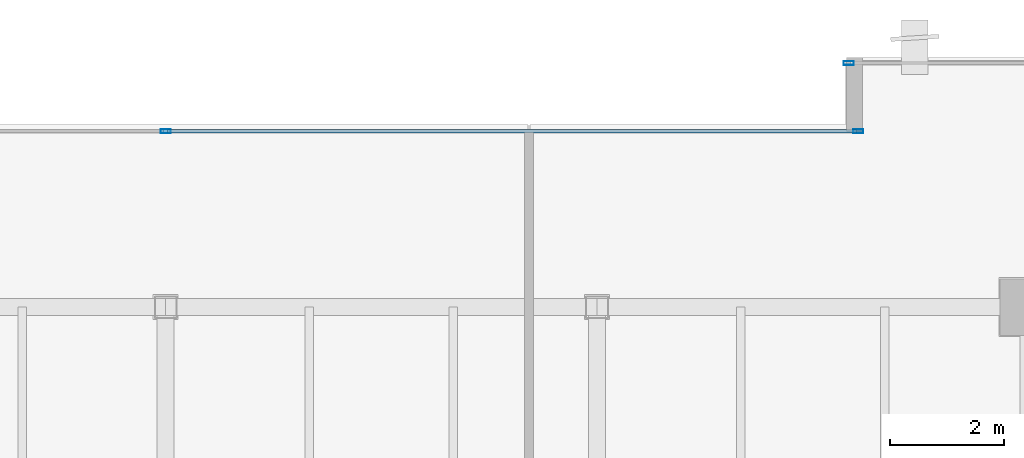
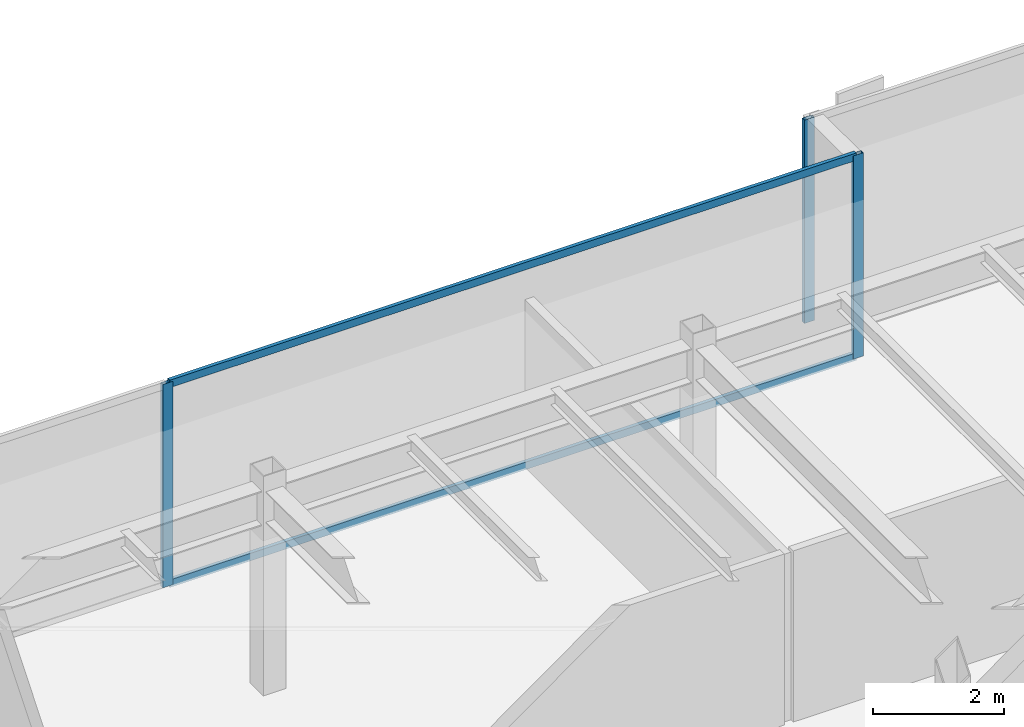
# One storey, part 19 of 35: 5 members, 2 elements without a shape of their own.
"""IFC4 building model written with IfcOpenShell, lengths in metres."""

from ifc_helpers import new_model, si_unit, direction, frame, origin, origin_2d, place, context, subcontext, project, spatial, hollow_rectangle, extrude, source, transform, mapped, material, layer, layer_set, material_profile, profile_set, type_object, type_shapes, element, aggregate, save


model = new_model("IFC4")

# Units and contexts
model_context = context("Model", 3, precision=1e-05, world=origin(), true_north=direction((0.0, 1.0)))
body_context = subcontext(model_context, "Body", "Model", "MODEL_VIEW")
ifc_project = project(units=[si_unit("LENGTHUNIT", "METRE"), si_unit("AREAUNIT", "SQUARE_METRE"), si_unit("VOLUMEUNIT", "CUBIC_METRE"), si_unit("PLANEANGLEUNIT", "RADIAN"), si_unit("MASSUNIT", "GRAM", prefix="KILO")], contexts=[model_context])

# Site, building, storey
site_placement = place(None, origin())
site = spatial("IfcSite", under=ifc_project, at=site_placement, CompositionType="ELEMENT")
building_placement = place(site_placement, origin())
building = spatial("IfcBuilding", under=site, at=building_placement, Name="Haelvirn Gate Laboratories", CompositionType="ELEMENT")
storey_placement = place(building_placement, frame((0.0, 0.0, 201.39990234375)))
storey = spatial("IfcBuildingStorey", under=building, at=storey_placement, Name="L48", CompositionType="ELEMENT", Elevation=201.39990234375)

# Curtain wall, members
ifc_material_1 = material(Name="Anodised bronze unitised aluminium & triple low-E glass", Category="aluminium")
ifc_layer = layer(ifc_material_1, 0.176025390625, Name="CW-SYS-4")
ifc_layer_set = layer_set([ifc_layer], Name="Anodised bronze unitised aluminium & triple low-E glass")
curtain_wall_type = type_object("IfcCurtainWallType", Name="CW-SYS-4", PredefinedType="NOTDEFINED", material=ifc_layer_set)
curtain_wall_1_placement = place(storey_placement, origin())
curtain_wall_1 = element("IfcCurtainWall", 1, at=curtain_wall_1_placement, inside=storey, type_object=curtain_wall_type, Name="L48 Unitised Curtain Wall CW-L48-P0-E12-1", PredefinedType="NOTDEFINED")
ifc_material_2 = material(Name="Extruded aluminium 6063-T6 (anodised bronze)", Category="aluminium")
ifc_material_profile_1 = material_profile(ifc_material_2, hollow_rectangle(XDim=0.06494140625, YDim=0.139892578125, WallThickness=0.00390625, at=origin_2d()), Name="CWT-140x65x4")
ifc_profile_set_1 = profile_set([ifc_material_profile_1], Name="Extruded aluminium 6063-T6 (anodised bronze)")
member_type_1 = type_object("IfcMemberType", Name="CWT-T140", PredefinedType="USERDEFINED", material=ifc_profile_set_1)
shared_shape_1 = source(origin(), body_context, "Body", "SweptSolid", [
    extrude(hollow_rectangle(XDim=0.06494140625, YDim=0.139892578125, WallThickness=0.00390625, at=origin_2d()), origin(), (0.0, 0.0, 1.0), 12.135009765625),
])
type_shapes(member_type_1, [shared_shape_1])
member_1_placement = place(storey_placement, frame((37.43505859375, 44.699951171875, 0.03271484375), z_axis=(1.0, 0.0, 0.0), x_axis=(0.0, 1.0, 0.0)))
member_1 = element("IfcMember", 2, at=member_1_placement, type_object=member_type_1, Name="CW4 transom 2.1", ObjectType="TRANSOM", PredefinedType="USERDEFINED", context=body_context, shape_type="MappedRepresentation", body=[
    mapped(shared_shape_1, transform((0.0, 0.0, 0.0), scale=1.0)),
])
member_2_placement = place(storey_placement, frame((37.43505859375, 44.699951171875, 3.767578125), z_axis=(1.0, 0.0, 0.0), x_axis=(0.0, 1.0, 0.0)))
member_2 = element("IfcMember", 3, at=member_2_placement, type_object=member_type_1, Name="CW4 transom 2.2", ObjectType="TRANSOM", PredefinedType="USERDEFINED", context=body_context, shape_type="MappedRepresentation", body=[
    mapped(shared_shape_1, transform((0.0, 0.0, 0.0), scale=1.0)),
])

# Curtain wall, member
curtain_wall_2_placement = place(storey_placement, origin())
curtain_wall_2 = element("IfcCurtainWall", 4, at=curtain_wall_2_placement, inside=storey, type_object=curtain_wall_type, Name="L48 Unitised Curtain Wall CW-L48-P0-E10-1", PredefinedType="NOTDEFINED")
ifc_material_profile_2 = material_profile(ifc_material_2, hollow_rectangle(XDim=0.070068359375, YDim=0.179931640625, WallThickness=0.0048828125, at=origin_2d()), Name="CWM-180x70x5")
ifc_profile_set_2 = profile_set([ifc_material_profile_2], Name="Extruded aluminium 6063-T6 (anodised bronze)")
member_type_2 = type_object("IfcMemberType", Name="CWM-T180", PredefinedType="MULLION", material=ifc_profile_set_2)
shared_shape_2 = source(origin(), body_context, "Body", "SweptSolid", [
    extrude(hollow_rectangle(XDim=0.070068359375, YDim=0.179931640625, WallThickness=0.0048828125, at=origin_2d()), origin(), (0.0, 0.0, 1.0), 3.800048828125),
])
type_shapes(member_type_2, [shared_shape_2])
member_3_placement = place(storey_placement, frame((49.43505859375, 45.89990234375, 0.0), z_axis=(0.0, 0.0, 1.0), x_axis=(0.0, 1.0, 0.0)))
member_3 = element("IfcMember", 5, at=member_3_placement, type_object=member_type_2, Name="CW4 mullion 1", PredefinedType="MULLION", context=body_context, shape_type="MappedRepresentation", body=[
    mapped(shared_shape_2, transform((0.0, 0.0, 0.0), scale=1.0)),
])
aggregate(curtain_wall_2, [member_3])

# Member
member_4_placement = place(storey_placement, frame((37.39990234375, 44.699951171875, 0.0), z_axis=(0.0, 0.0, 1.0), x_axis=(0.0, 1.0, 0.0)))
member_4 = element("IfcMember", 6, at=member_4_placement, type_object=member_type_2, Name="CW4 mullion 2", PredefinedType="MULLION", context=body_context, shape_type="MappedRepresentation", body=[
    mapped(shared_shape_2, transform((0.0, 0.0, 0.0), scale=1.0)),
])

member_5_placement = place(storey_placement, frame((49.60498046875, 44.699951171875, 0.0), z_axis=(0.0, 0.0, 1.0), x_axis=(0.0, 1.0, 0.0)))
member_5 = element("IfcMember", 7, at=member_5_placement, type_object=member_type_2, Name="CW4 mullion 3", PredefinedType="MULLION", context=body_context, shape_type="MappedRepresentation", body=[
    mapped(shared_shape_2, transform((0.0, 0.0, 0.0), scale=1.0)),
])

aggregate(curtain_wall_1, [member_4, member_5, member_1, member_2])

save(model, "model.ifc")
